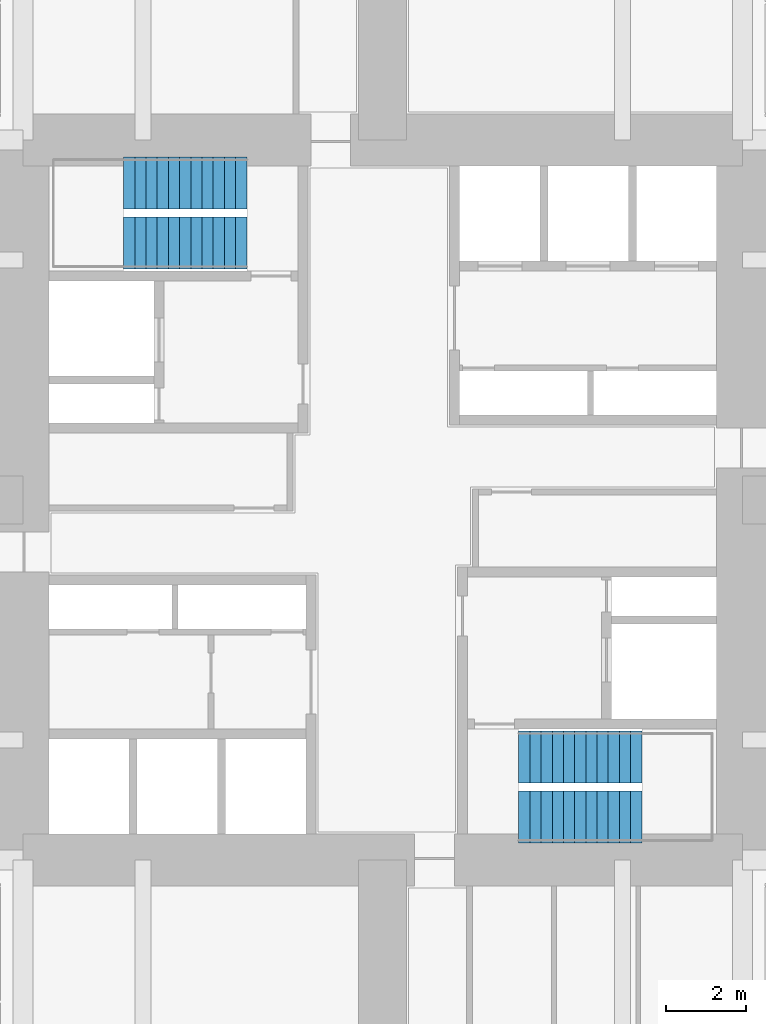
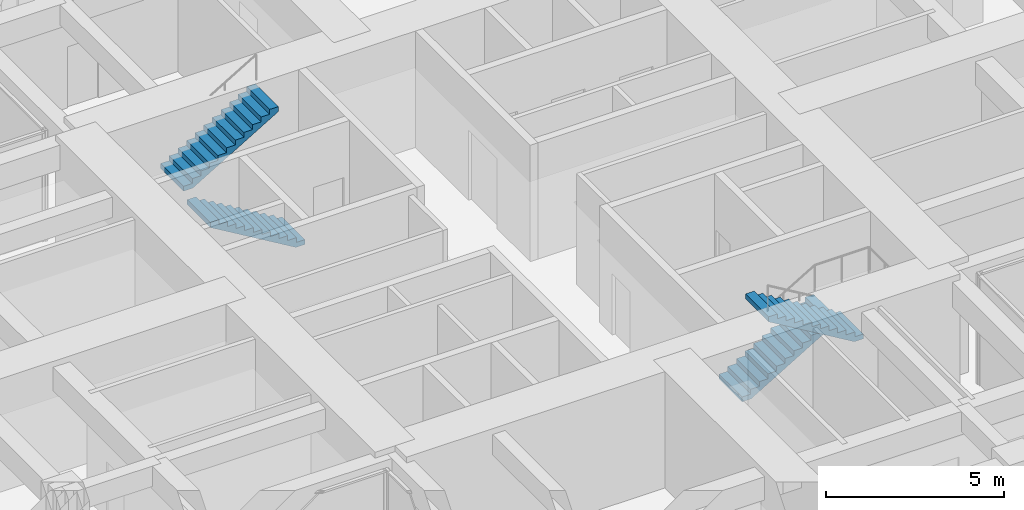
# One storey, part 12 of 13: 4 stair flights, 2 elements without a shape of their own.
"""IFC4 building model written with IfcOpenShell, lengths in metres."""

from ifc_helpers import new_model, si_unit, direction, frame, origin, place, context, subcontext, project, spatial, polyline, outline, extrude, material, type_object, element, aggregate, save


model = new_model("IFC4")

# Units and contexts
model_context = context("Model", 3, precision=1e-05, world=origin(), true_north=direction((0.0, 1.0)))
body_context = subcontext(model_context, "Body", "Model", "MODEL_VIEW")
ifc_project = project(units=[si_unit("LENGTHUNIT", "METRE"), si_unit("AREAUNIT", "SQUARE_METRE"), si_unit("VOLUMEUNIT", "CUBIC_METRE"), si_unit("PLANEANGLEUNIT", "RADIAN"), si_unit("MASSUNIT", "GRAM", prefix="KILO")], contexts=[model_context])

# Site, building, storey
site_placement = place(None, origin())
site = spatial("IfcSite", under=ifc_project, at=site_placement, CompositionType="ELEMENT")
building_placement = place(site_placement, origin())
building = spatial("IfcBuilding", under=site, at=building_placement, Name="Torre Cruceta", CompositionType="ELEMENT")
storey_placement = place(building_placement, frame((0.0, 0.0, 124.5)))
storey = spatial("IfcBuildingStorey", under=building, at=storey_placement, Name="L30", CompositionType="ELEMENT", Elevation=124.5)

# Stair, stair flights
ifc_material_1 = material(Name="Concrete G30 (fck 30 MPa)", Category="concrete")
stair_type = type_object("IfcStairType", Name="STAIR HALF-TURN 1300", PredefinedType="HALF_TURN_STAIR", material=ifc_material_1)
stair_1_placement = place(storey_placement, origin())
stair_1 = element("IfcStair", 1, at=stair_1_placement, inside=storey, type_object=stair_type, Name="Stair ST1 L30", PredefinedType="HALF_TURN_STAIR")
ifc_material_2 = material(Name="Concrete G30 (fck 30 MPa)", Category="concrete")
stair_flight_type = type_object("IfcStairFlightType", Name="STAIR FLIGHT 1300", PredefinedType="STRAIGHT", material=ifc_material_2)
stair_flight_1_placement = place(storey_placement, frame((-3.39990234375, 6.425048828125, 0.0), z_axis=(0.0, 0.0, 1.0), x_axis=(-1.0, 0.0, 0.0)))
stair_flight_1 = element("IfcStairFlight", 2, at=stair_flight_1_placement, type_object=stair_flight_type, Name="ST1 flight 1", NumberOfRisers=12, NumberOfTreads=11, PredefinedType="STRAIGHT", RiserHeight=0.166666667, TreadLength=0.28, context=body_context, shape_type="SweptSolid", body=[
    extrude(outline(polyline([(0.0, 0.0), (0.0, 0.166748046875), (0.280029296875, 0.166748046875), (0.280029296875, 0.333251953125), (0.56005859375, 0.333251953125), (0.56005859375, 0.5), (0.840087890625, 0.5), (0.840087890625, 0.666748046875), (1.1201171875, 0.666748046875), (1.1201171875, 0.833251953125), (1.39990234375, 0.833251953125), (1.39990234375, 1.0), (1.679931640625, 1.0), (1.679931640625, 1.166748046875), (1.9599609375, 1.166748046875), (1.9599609375, 1.333251953125), (2.239990234375, 1.333251953125), (2.239990234375, 1.5), (2.52001953125, 1.5), (2.52001953125, 1.666748046875), (2.800048828125, 1.666748046875), (2.800048828125, 1.833251953125), (3.080078125, 1.833251953125), (3.080078125, 2.0), (3.080078125, 1.658935546875), (0.29296875, 0.0), (0.0, 0.0)])), frame((0.0, 0.64990234375, 0.0), z_axis=(0.0, -1.0, 0.0), x_axis=(1.0, 0.0, 0.0)), (0.0, 0.0, 1.0), 1.300048828125),
])
stair_flight_2_placement = place(storey_placement, frame((-6.47998046875, 7.925048828125, 2.0), z_axis=(0.0, 0.0, 1.0), x_axis=(1.0, 0.0, 0.0)))
stair_flight_2 = element("IfcStairFlight", 3, at=stair_flight_2_placement, type_object=stair_flight_type, Name="ST1 flight 2", NumberOfRisers=12, NumberOfTreads=11, PredefinedType="STRAIGHT", RiserHeight=0.166666667, TreadLength=0.28, context=body_context, shape_type="SweptSolid", body=[
    extrude(outline(polyline([(0.0, 0.0), (0.0, 0.166748046875), (0.280029296875, 0.166748046875), (0.280029296875, 0.333251953125), (0.56005859375, 0.333251953125), (0.56005859375, 0.5), (0.840087890625, 0.5), (0.840087890625, 0.666748046875), (1.1201171875, 0.666748046875), (1.1201171875, 0.833251953125), (1.39990234375, 0.833251953125), (1.39990234375, 1.0), (1.679931640625, 1.0), (1.679931640625, 1.166748046875), (1.9599609375, 1.166748046875), (1.9599609375, 1.333251953125), (2.239990234375, 1.333251953125), (2.239990234375, 1.5), (2.52001953125, 1.5), (2.52001953125, 1.666748046875), (2.800048828125, 1.666748046875), (2.800048828125, 1.833251953125), (3.080078125, 1.833251953125), (3.080078125, 2.0), (3.080078125, 1.658935546875), (0.29296875, 0.0), (0.0, 0.0)])), frame((0.0, 0.64990234375, 0.0), z_axis=(0.0, -1.0, 0.0), x_axis=(1.0, 0.0, 0.0)), (0.0, 0.0, 1.0), 1.300048828125),
])
aggregate(stair_1, [stair_flight_1, stair_flight_2])

stair_2_placement = place(storey_placement, origin())
stair_2 = element("IfcStair", 4, at=stair_2_placement, inside=storey, type_object=stair_type, Name="Stair ST2 L30", PredefinedType="HALF_TURN_STAIR")
stair_flight_3_placement = place(storey_placement, frame((3.39990234375, -6.425048828125, 0.0), z_axis=(0.0, 0.0, 1.0), x_axis=(1.0, 0.0, 0.0)))
stair_flight_3 = element("IfcStairFlight", 5, at=stair_flight_3_placement, type_object=stair_flight_type, Name="ST2 flight 1", NumberOfRisers=12, NumberOfTreads=11, PredefinedType="STRAIGHT", RiserHeight=0.166666667, TreadLength=0.28, context=body_context, shape_type="SweptSolid", body=[
    extrude(outline(polyline([(0.0, 0.0), (0.0, 0.166748046875), (0.280029296875, 0.166748046875), (0.280029296875, 0.333251953125), (0.56005859375, 0.333251953125), (0.56005859375, 0.5), (0.840087890625, 0.5), (0.840087890625, 0.666748046875), (1.1201171875, 0.666748046875), (1.1201171875, 0.833251953125), (1.39990234375, 0.833251953125), (1.39990234375, 1.0), (1.679931640625, 1.0), (1.679931640625, 1.166748046875), (1.9599609375, 1.166748046875), (1.9599609375, 1.333251953125), (2.239990234375, 1.333251953125), (2.239990234375, 1.5), (2.52001953125, 1.5), (2.52001953125, 1.666748046875), (2.800048828125, 1.666748046875), (2.800048828125, 1.833251953125), (3.080078125, 1.833251953125), (3.080078125, 2.0), (3.080078125, 1.658935546875), (0.29296875, 0.0), (0.0, 0.0)])), frame((0.0, 0.64990234375, 0.0), z_axis=(0.0, -1.0, 0.0), x_axis=(1.0, 0.0, 0.0)), (0.0, 0.0, 1.0), 1.300048828125),
])
stair_flight_4_placement = place(storey_placement, frame((6.47998046875, -7.925048828125, 2.0), z_axis=(0.0, 0.0, 1.0), x_axis=(-1.0, 0.0, 0.0)))
stair_flight_4 = element("IfcStairFlight", 6, at=stair_flight_4_placement, type_object=stair_flight_type, Name="ST2 flight 2", NumberOfRisers=12, NumberOfTreads=11, PredefinedType="STRAIGHT", RiserHeight=0.166666667, TreadLength=0.28, context=body_context, shape_type="SweptSolid", body=[
    extrude(outline(polyline([(0.0, 0.0), (0.0, 0.166748046875), (0.280029296875, 0.166748046875), (0.280029296875, 0.333251953125), (0.56005859375, 0.333251953125), (0.56005859375, 0.5), (0.840087890625, 0.5), (0.840087890625, 0.666748046875), (1.1201171875, 0.666748046875), (1.1201171875, 0.833251953125), (1.39990234375, 0.833251953125), (1.39990234375, 1.0), (1.679931640625, 1.0), (1.679931640625, 1.166748046875), (1.9599609375, 1.166748046875), (1.9599609375, 1.333251953125), (2.239990234375, 1.333251953125), (2.239990234375, 1.5), (2.52001953125, 1.5), (2.52001953125, 1.666748046875), (2.800048828125, 1.666748046875), (2.800048828125, 1.833251953125), (3.080078125, 1.833251953125), (3.080078125, 2.0), (3.080078125, 1.658935546875), (0.29296875, 0.0), (0.0, 0.0)])), frame((0.0, 0.64990234375, 0.0), z_axis=(0.0, -1.0, 0.0), x_axis=(1.0, 0.0, 0.0)), (0.0, 0.0, 1.0), 1.300048828125),
])
aggregate(stair_2, [stair_flight_3, stair_flight_4])

save(model, "model.ifc")
